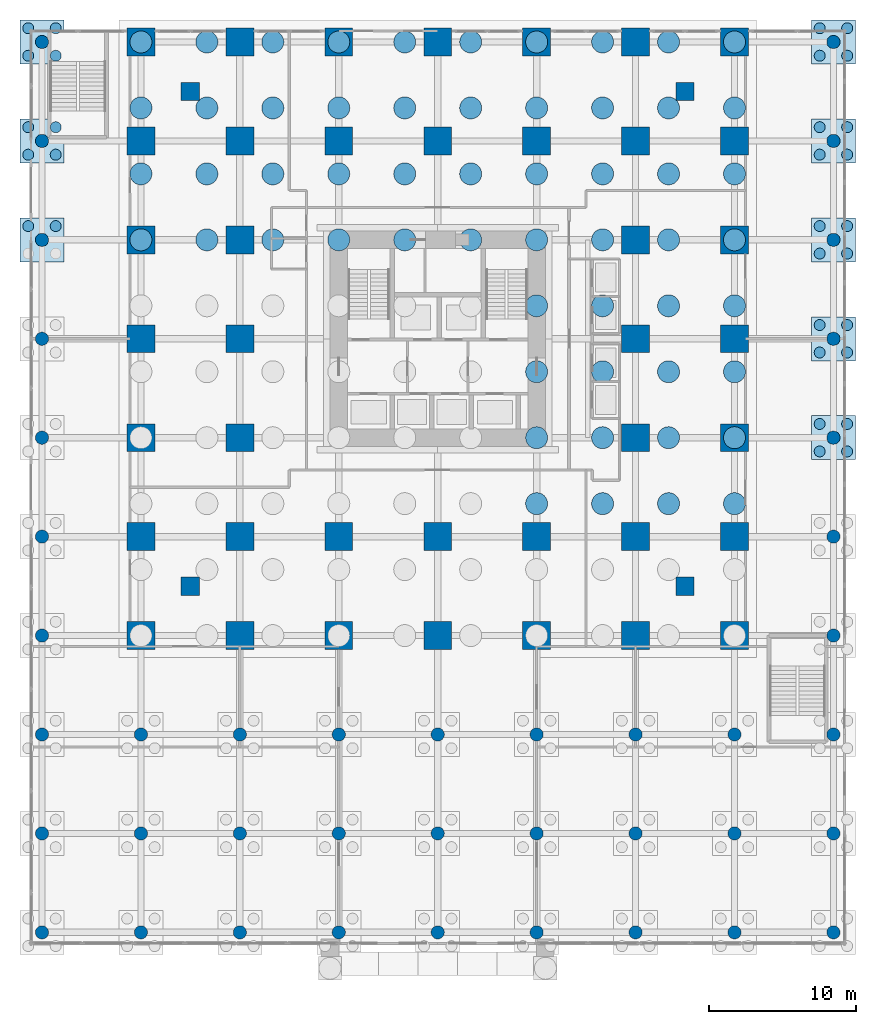
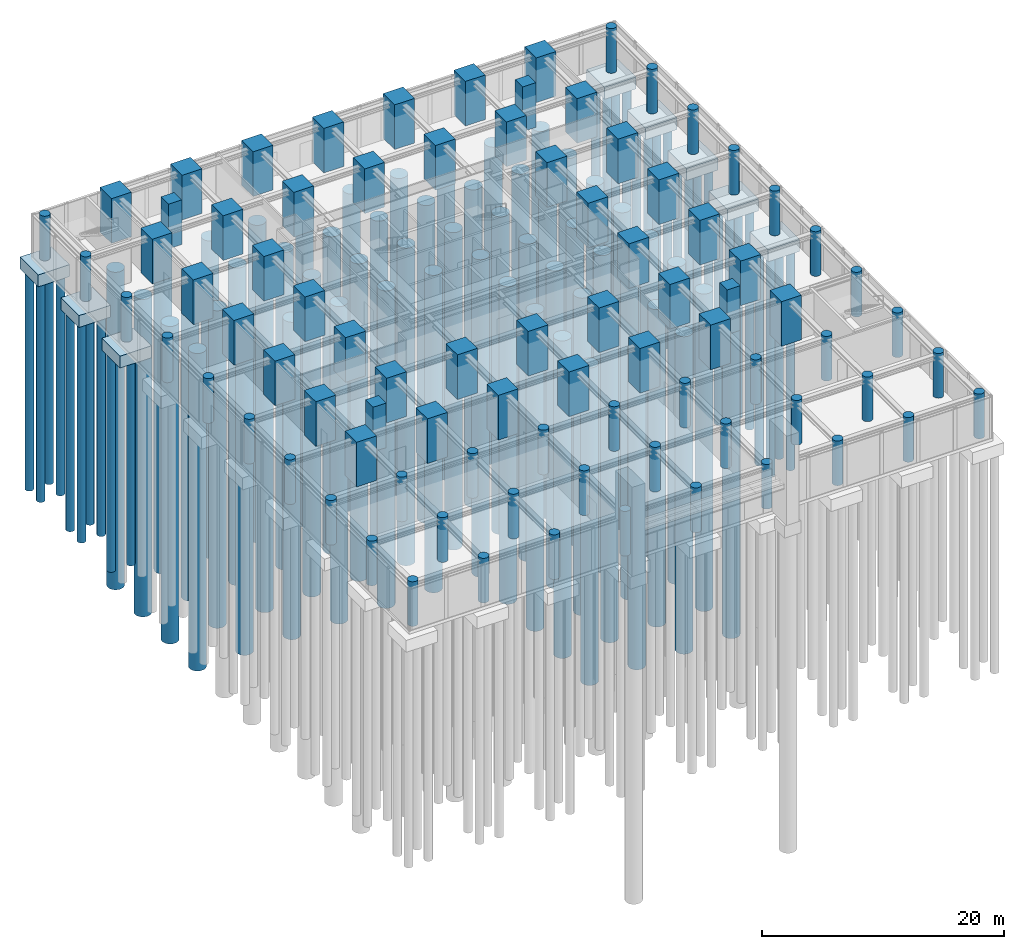
# One storey, part 2 of 14: 86 piles, 85 columns, 8 footings.
"""IFC4 building model written with IfcOpenShell, lengths in metres."""

import ifcopenshell
import ifcopenshell.guid

model = None  # the IFC model being written
_history = None  # IfcOwnerHistory: only IFC2X3 demands one
_inside = {}  # id of a spatial element -> (the spatial element, [elements in it])
_under = {}  # id of a project, library or spatial element -> (it, [spatial elements below it])
_declared = {}  # id of a project -> (the project, [libraries it declares])
_typed = {}  # id of a type object -> (the type object, [elements of that type])
_made_of = {}  # id of a material, layer set ... -> (it, [elements and type objects made of it])


def new_model(schema):
    """Start an empty IFC model of exactly this schema.

    Asked for "IFC4X3", IfcOpenShell would pick the latest addendum, in which some entities
    have other attributes; the version numbers below select the first issue.
    IFC2X3 requires an IfcOwnerHistory on every rooted entity: one is made here for all.
    """
    global model, _history
    if schema == "IFC4X3":
        model = ifcopenshell.file(schema_version=(4, 3, 0, 0))
    else:
        model = ifcopenshell.file(schema=schema)
    _inside.clear()
    _under.clear()
    _declared.clear()
    _typed.clear()
    _made_of.clear()
    _history = None
    if model.schema == "IFC2X3":
        org = make("IfcOrganization", Name="unknown")
        user = make(
            "IfcPersonAndOrganization",
            ThePerson=make("IfcPerson", FamilyName="unknown"),
            TheOrganization=org,
        )
        app = make(
            "IfcApplication",
            ApplicationDeveloper=org,
            Version="unknown",
            ApplicationFullName="unknown",
            ApplicationIdentifier="unknown",
        )
        _history = make(
            "IfcOwnerHistory",
            OwningUser=user,
            OwningApplication=app,
            ChangeAction="ADDED",
            CreationDate=0,
        )
    return model


def make(cls, **values):
    """One entity of the class cls with the attributes given. An attribute that is None is left unset."""
    return model.create_entity(
        cls, **{name: value for name, value in values.items() if value is not None}
    )


def rooted(cls, **values):
    """An entity with a GlobalId (a new one), such as an element, a storey or a relation."""
    return make(cls, GlobalId=ifcopenshell.guid.new(), OwnerHistory=_history, **values)


def si_unit(unit_type, name, prefix=None):
    """IfcSIUnit, for example si_unit("LENGTHUNIT", "METRE", prefix="MILLI")."""
    return make("IfcSIUnit", UnitType=unit_type, Prefix=prefix, Name=name)


def assignment(units):
    """IfcUnitAssignment: the units of a project."""
    return None if units is None else make("IfcUnitAssignment", Units=units)


def point(xyz):
    """IfcCartesianPoint."""
    return None if xyz is None else make("IfcCartesianPoint", Coordinates=xyz)


def direction(xyz):
    """IfcDirection."""
    return None if xyz is None else make("IfcDirection", DirectionRatios=xyz)


def frame(location, z_axis=None, x_axis=None):
    """IfcAxis2Placement3D, a coordinate frame: its origin and axes. An axis left out is left unset."""
    return make(
        "IfcAxis2Placement3D",
        Location=point(location),
        Axis=direction(z_axis),
        RefDirection=direction(x_axis),
    )


def frame_2d(location, x_axis=None):
    """IfcAxis2Placement2D, a coordinate frame in the plane: its origin and x axis."""
    return make(
        "IfcAxis2Placement2D", Location=point(location), RefDirection=direction(x_axis)
    )


def origin():
    """The frame at (0, 0, 0) with its axes left unset."""
    return frame((0.0, 0.0, 0.0))


def origin_2d():
    """The frame at (0, 0) in the plane with its x axis left unset."""
    return frame_2d((0.0, 0.0))


def place(relative_to, where):
    """IfcLocalPlacement: puts the frame where relative to a parent placement (None: the world)."""
    return make(
        "IfcLocalPlacement", PlacementRelTo=relative_to, RelativePlacement=where
    )


def context(
    kind, dimensions, precision=None, world=None, true_north=None, identifier=None
):
    """IfcGeometricRepresentationContext, for example the 3D "Model" context."""
    return make(
        "IfcGeometricRepresentationContext",
        ContextIdentifier=identifier,
        ContextType=kind,
        CoordinateSpaceDimension=dimensions,
        Precision=precision,
        WorldCoordinateSystem=world,
        TrueNorth=true_north,
    )


def subcontext(parent, identifier, kind, view, scale=None):
    """IfcGeometricRepresentationSubContext, for example "Body" below "Model"."""
    return make(
        "IfcGeometricRepresentationSubContext",
        ContextIdentifier=identifier,
        ContextType=kind,
        ParentContext=parent,
        TargetScale=scale,
        TargetView=view,
    )


def project(units=None, contexts=None):
    """IfcProject with its units and contexts."""
    return rooted(
        "IfcProject",
        Name="project",
        RepresentationContexts=contexts,
        UnitsInContext=assignment(units),
    )


def spatial(cls, under=None, at=None, **own):
    """A site, building, storey or space (cls), placed at a placement, below another one or the project."""
    s = rooted(cls, ObjectPlacement=at, **own)
    if under is not None:
        _under.setdefault(under.id(), (under, []))[1].append(s)
    return s


def polyline(points):
    """IfcPolyline through the points."""
    return make("IfcPolyline", Points=[point(p) for p in points])


def profile(cls, at=None, kind="AREA", **sizes):
    """A parametric profile (cls). Its sizes go by their IFC names, for example OverallWidth=200.0."""
    return make(cls, ProfileType=kind, Position=at, **sizes)


def rectangle(**sizes):
    """IfcRectangleProfileDef."""
    return profile("IfcRectangleProfileDef", **sizes)


def circle(**sizes):
    """IfcCircleProfileDef."""
    return profile("IfcCircleProfileDef", **sizes)


def outline(outer, holes=None, kind="AREA"):
    """IfcArbitraryClosedProfileDef: a profile drawn as a closed curve; with holes, ...WithVoids."""
    if holes is None:
        return make("IfcArbitraryClosedProfileDef", ProfileType=kind, OuterCurve=outer)
    return make(
        "IfcArbitraryProfileDefWithVoids",
        ProfileType=kind,
        OuterCurve=outer,
        InnerCurves=holes,
    )


def extrude(swept, where, along, depth):
    """IfcExtrudedAreaSolid: the profile swept, set in the frame where, extruded along a direction by depth."""
    return make(
        "IfcExtrudedAreaSolid",
        SweptArea=swept,
        Position=where,
        ExtrudedDirection=direction(along),
        Depth=depth,
    )


def shape(context_of_items, identifier, shape_type, items):
    """IfcShapeRepresentation: the items that make up one representation, for example the "Body"."""
    return make(
        "IfcShapeRepresentation",
        ContextOfItems=context_of_items,
        RepresentationIdentifier=identifier,
        RepresentationType=shape_type,
        Items=items,
    )


def material(Name=None, Category=None):
    """IfcMaterial."""
    return make("IfcMaterial", Name=Name, Category=Category)


def layer(
    of_material, thickness, ventilated=None, Name=None, Category=None, Priority=None
):
    """IfcMaterialLayer: one layer of a wall or slab, of a material (None: an air gap)."""
    return make(
        "IfcMaterialLayer",
        Material=of_material,
        LayerThickness=thickness,
        IsVentilated=ventilated,
        Name=Name,
        Category=Category,
        Priority=Priority,
    )


def layer_set(layers, Name=None):
    """IfcMaterialLayerSet."""
    return make("IfcMaterialLayerSet", MaterialLayers=layers, LayerSetName=Name)


def material_profile(
    of_material, cross_section, Name=None, Category=None, Priority=None
):
    """IfcMaterialProfile: a cross section and its material."""
    return make(
        "IfcMaterialProfile",
        Name=Name,
        Material=of_material,
        Profile=cross_section,
        Priority=Priority,
        Category=Category,
    )


def profile_set(profiles, Name=None, composite=None):
    """IfcMaterialProfileSet."""
    return make(
        "IfcMaterialProfileSet",
        Name=Name,
        MaterialProfiles=profiles,
        CompositeProfile=composite,
    )


def made_of(thing, what):
    """Note that an element or type object is made of a material, layer set ...; save() writes the relation."""
    if what is not None:
        _made_of.setdefault(what.id(), (what, []))[1].append(thing)
    return thing


def type_object(cls, material=None, **own):
    """A type object (cls), such as IfcWallType, which elements share."""
    return made_of(rooted(cls, **own), material)


def element(
    cls,
    number,
    at=None,
    inside=None,
    cuts=None,
    type_object=None,
    material=None,
    context=None,
    identifier="Body",
    shape_type=None,
    held_by="IfcProductDefinitionShape",
    body=None,
    shapes=None,
    **own,
):
    """One element of the class cls, such as IfcWall. Its Tag is "e" and its number.

    at: its placement. inside: the storey or other place that contains it. cuts: it is an
    opening in that element (IfcRelVoidsElement). A single representation is given by context,
    identifier, shape_type and body (its items); several are given by shapes. held_by: the class
    of the entity that holds the representations. save() writes the other relations.
    """
    e = rooted(cls, Tag="e%d" % number, ObjectPlacement=at, **own)
    if body is not None:
        shapes = [shape(context, identifier, shape_type, body)]
    if shapes is not None:
        e.Representation = make(held_by, Representations=shapes)
    if inside is not None:
        _inside.setdefault(inside.id(), (inside, []))[1].append(e)
    if cuts is not None:
        rooted(
            "IfcRelVoidsElement", RelatingBuildingElement=cuts, RelatedOpeningElement=e
        )
    if type_object is not None:
        _typed.setdefault(type_object.id(), (type_object, []))[1].append(e)
    return made_of(e, material)


def aggregate(whole, parts):
    """IfcRelAggregates: a whole, such as a stair, and the parts it consists of."""
    return rooted("IfcRelAggregates", RelatingObject=whole, RelatedObjects=parts)


def save(model, path):
    """Write the relations noted so far, then the file.

    IfcRelAggregates (storeys below a building ...), IfcRelContainedInSpatialStructure (elements
    in a storey), IfcRelDefinesByType, IfcRelAssociatesMaterial and IfcRelDeclares: one each for
    every whole, place, type object, material and project.
    """
    for whole, parts in _under.values():
        aggregate(whole, parts)
    for where, things in _inside.values():
        rooted(
            "IfcRelContainedInSpatialStructure",
            RelatedElements=things,
            RelatingStructure=where,
        )
    for kind, things in _typed.values():
        rooted("IfcRelDefinesByType", RelatedObjects=things, RelatingType=kind)
    for what, things in _made_of.values():
        rooted("IfcRelAssociatesMaterial", RelatedObjects=things, RelatingMaterial=what)
    for by, libraries in _declared.values():
        rooted("IfcRelDeclares", RelatingContext=by, RelatedDefinitions=libraries)
    model.write(path)


model = new_model("IFC4")

# Units and contexts
model_context = context("Model", 3, precision=1e-05, world=origin(), true_north=direction((0.0, 1.0)))
body_context = subcontext(model_context, "Body", "Model", "MODEL_VIEW")
ifc_project = project(units=[si_unit("LENGTHUNIT", "METRE"), si_unit("AREAUNIT", "SQUARE_METRE"), si_unit("VOLUMEUNIT", "CUBIC_METRE"), si_unit("PLANEANGLEUNIT", "RADIAN"), si_unit("MASSUNIT", "GRAM", prefix="KILO")], contexts=[model_context])

# Site, building, storey
site_placement = place(None, origin())
site = spatial("IfcSite", under=ifc_project, at=site_placement, CompositionType="ELEMENT")
building_placement = place(site_placement, origin())
building = spatial("IfcBuilding", under=site, at=building_placement, Name="Nyansa Garden Tower", CompositionType="ELEMENT")
storey_placement = place(building_placement, origin())
storey = spatial("IfcBuildingStorey", under=building, at=storey_placement, Name="L00", CompositionType="ELEMENT", Elevation=0.0)

# Piles
ifc_material_1 = material(Name="Concrete C40/50", Category="concrete")
pile_type_1 = type_object("IfcPileType", Name="Bored pile P1 D1500", PredefinedType="BORED", material=ifc_material_1)
for number, where, z_axis, x_axis, name in (
    (1, (0.0, 27.0, -3.300048828125), (0.0, 0.0, -1.0), (1.0, 0.0, 0.0), "Pile P1-007"),
    (2, (0.0, 31.5, -3.300048828125), (0.0, 0.0, -1.0), (1.0, 0.0, 0.0), "Pile P1-008"),
    (3, (0.0, 36.0, -3.300048828125), (0.0, 0.0, -1.0), (1.0, 0.0, 0.0), "Pile P1-009"),
    (4, (0.0, 40.5, -3.300048828125), (0.0, 0.0, -1.0), (1.0, 0.0, 0.0), "Pile P1-010"),
    (5, (4.5, 27.0, -3.300048828125), (0.0, 0.0, -1.0), (1.0, 0.0, 0.0), "Pile P1-017"),
    (6, (4.5, 31.5, -3.300048828125), (0.0, 0.0, -1.0), (1.0, 0.0, 0.0), "Pile P1-018"),
    (7, (4.5, 36.0, -3.300048828125), (0.0, 0.0, -1.0), (1.0, 0.0, 0.0), "Pile P1-019"),
    (8, (4.5, 40.5, -3.300048828125), (0.0, 0.0, -1.0), (1.0, 0.0, 0.0), "Pile P1-020"),
    (9, (9.0, 27.0, -3.300048828125), (0.0, 0.0, -1.0), (1.0, 0.0, 0.0), "Pile P1-027"),
    (10, (9.0, 31.5, -3.300048828125), (0.0, 0.0, -1.0), (1.0, 0.0, 0.0), "Pile P1-028"),
    (11, (9.0, 36.0, -3.300048828125), (0.0, 0.0, -1.0), (1.0, 0.0, 0.0), "Pile P1-029"),
    (12, (9.0, 40.5, -3.300048828125), (0.0, 0.0, -1.0), (1.0, 0.0, 0.0), "Pile P1-030"),
    (13, (13.5, 27.0, -3.300048828125), (0.0, 0.0, -1.0), (1.0, 0.0, 0.0), "Pile P1-037"),
    (14, (13.5, 31.5, -3.300048828125), (0.0, 0.0, -1.0), (1.0, 0.0, 0.0), "Pile P1-038"),
    (15, (13.5, 36.0, -3.300048828125), (0.0, 0.0, -1.0), (1.0, 0.0, 0.0), "Pile P1-039"),
    (16, (13.5, 40.5, -3.300048828125), (0.0, 0.0, -1.0), (1.0, 0.0, 0.0), "Pile P1-040"),
    (17, (18.0, 27.0, -3.300048828125), (0.0, 0.0, -1.0), (1.0, 0.0, 0.0), "Pile P1-047"),
    (18, (18.0, 31.5, -3.300048828125), (0.0, 0.0, -1.0), (1.0, 0.0, 0.0), "Pile P1-048"),
    (19, (18.0, 36.0, -3.300048828125), (0.0, 0.0, -1.0), (1.0, 0.0, 0.0), "Pile P1-049"),
    (20, (18.0, 40.5, -3.300048828125), (0.0, 0.0, -1.0), (1.0, 0.0, 0.0), "Pile P1-050"),
    (21, (22.5, 27.0, -3.300048828125), (0.0, 0.0, -1.0), (1.0, 0.0, 0.0), "Pile P1-057"),
    (22, (22.5, 31.5, -3.300048828125), (0.0, 0.0, -1.0), (1.0, 0.0, 0.0), "Pile P1-058"),
    (23, (22.5, 36.0, -3.300048828125), (0.0, 0.0, -1.0), (1.0, 0.0, 0.0), "Pile P1-059"),
    (24, (22.5, 40.5, -3.300048828125), (0.0, 0.0, -1.0), (1.0, 0.0, 0.0), "Pile P1-060"),
    (25, (27.0, 9.0, -3.300048828125), (0.0, 0.0, -1.0), (1.0, 0.0, 0.0), "Pile P1-063"),
    (26, (27.0, 13.5, -3.300048828125), (0.0, 0.0, -1.0), (1.0, 0.0, 0.0), "Pile P1-064"),
    (27, (27.0, 18.0, -3.300048828125), (0.0, 0.0, -1.0), (1.0, 0.0, 0.0), "Pile P1-065"),
    (28, (27.0, 22.5, -3.300048828125), (0.0, 0.0, -1.0), (1.0, 0.0, 0.0), "Pile P1-066"),
    (29, (27.0, 27.0, -3.300048828125), (0.0, 0.0, -1.0), (1.0, 0.0, 0.0), "Pile P1-067"),
    (30, (27.0, 31.5, -3.300048828125), (0.0, 0.0, -1.0), (1.0, 0.0, 0.0), "Pile P1-068"),
    (31, (27.0, 36.0, -3.300048828125), (0.0, 0.0, -1.0), (1.0, 0.0, 0.0), "Pile P1-069"),
    (32, (27.0, 40.5, -3.300048828125), (0.0, 0.0, -1.0), (1.0, 0.0, 0.0), "Pile P1-070"),
    (33, (31.5, 9.0, -3.300048828125), (0.0, 0.0, -1.0), (1.0, 0.0, 0.0), "Pile P1-073"),
    (34, (31.5, 13.5, -3.300048828125), (0.0, 0.0, -1.0), (1.0, 0.0, 0.0), "Pile P1-074"),
    (35, (31.5, 18.0, -3.300048828125), (0.0, 0.0, -1.0), (1.0, 0.0, 0.0), "Pile P1-075"),
    (36, (31.5, 22.5, -3.300048828125), (0.0, 0.0, -1.0), (1.0, 0.0, 0.0), "Pile P1-076"),
    (37, (31.5, 27.0, -3.300048828125), (0.0, 0.0, -1.0), (1.0, 0.0, 0.0), "Pile P1-077"),
    (38, (31.5, 31.5, -3.300048828125), (0.0, 0.0, -1.0), (1.0, 0.0, 0.0), "Pile P1-078"),
    (39, (31.5, 36.0, -3.300048828125), (0.0, 0.0, -1.0), (1.0, 0.0, 0.0), "Pile P1-079"),
    (40, (31.5, 40.5, -3.300048828125), (0.0, 0.0, -1.0), (1.0, 0.0, 0.0), "Pile P1-080"),
    (41, (36.0, 9.0, -3.300048828125), (0.0, 0.0, -1.0), (1.0, 0.0, 0.0), "Pile P1-083"),
    (42, (36.0, 13.5, -3.300048828125), (0.0, 0.0, -1.0), (1.0, 0.0, 0.0), "Pile P1-084"),
    (43, (36.0, 18.0, -3.300048828125), (0.0, 0.0, -1.0), (1.0, 0.0, 0.0), "Pile P1-085"),
    (44, (36.0, 22.5, -3.300048828125), (0.0, 0.0, -1.0), (1.0, 0.0, 0.0), "Pile P1-086"),
    (45, (36.0, 27.0, -3.300048828125), (0.0, 0.0, -1.0), (1.0, 0.0, 0.0), "Pile P1-087"),
    (46, (36.0, 31.5, -3.300048828125), (0.0, 0.0, -1.0), (1.0, 0.0, 0.0), "Pile P1-088"),
    (47, (36.0, 36.0, -3.300048828125), (0.0, 0.0, -1.0), (1.0, 0.0, 0.0), "Pile P1-089"),
    (48, (36.0, 40.5, -3.300048828125), (0.0, 0.0, -1.0), (1.0, 0.0, 0.0), "Pile P1-090"),
    (49, (40.5, 9.0, -3.300048828125), (0.0, 0.0, -1.0), (1.0, 0.0, 0.0), "Pile P1-093"),
    (50, (40.5, 13.5, -3.300048828125), (0.0, 0.0, -1.0), (1.0, 0.0, 0.0), "Pile P1-094"),
    (51, (40.5, 18.0, -3.300048828125), (0.0, 0.0, -1.0), (1.0, 0.0, 0.0), "Pile P1-095"),
    (52, (40.5, 22.5, -3.300048828125), (0.0, 0.0, -1.0), (1.0, 0.0, 0.0), "Pile P1-096"),
    (53, (40.5, 27.0, -3.300048828125), (0.0, 0.0, -1.0), (1.0, 0.0, 0.0), "Pile P1-097"),
    (54, (40.5, 31.5, -3.300048828125), (0.0, 0.0, -1.0), (1.0, 0.0, 0.0), "Pile P1-098"),
    (55, (40.5, 36.0, -3.300048828125), (0.0, 0.0, -1.0), (1.0, 0.0, 0.0), "Pile P1-099"),
    (56, (40.5, 40.5, -3.300048828125), (0.0, 0.0, -1.0), (1.0, 0.0, 0.0), "Pile P1-100"),
):
    element("IfcPile", number, at=place(storey_placement, frame(where, z_axis=z_axis, x_axis=x_axis)), inside=storey, type_object=pile_type_1, Name=name, PredefinedType="BORED", context=body_context, shape_type="SweptSolid", body=[
        extrude(circle(Radius=0.75, at=origin_2d()), origin(), (0.0, 0.0, 1.0), 32.0),
    ])
ifc_material_2 = material(Name="Concrete C40/50", Category="concrete")
pile_type_2 = type_object("IfcPileType", Name="Bored pile P2 D750", PredefinedType="BORED", material=ifc_material_2)
for number, where, z_axis, x_axis, name in (
    (57, (-5.8125, 27.9375, -1.5), (0.0, 0.0, -1.0), (1.0, 0.0, 0.0), "Pile P2-08C"),
    (58, (-7.6875, 27.9375, -1.5), (0.0, 0.0, -1.0), (1.0, 0.0, 0.0), "Pile P2-08D"),
    (59, (-7.6875, 32.8125, -1.5), (0.0, 0.0, -1.0), (1.0, 0.0, 0.0), "Pile P2-09A"),
    (60, (-5.8125, 32.8125, -1.5), (0.0, 0.0, -1.0), (1.0, 0.0, 0.0), "Pile P2-09B"),
    (61, (-5.8125, 34.6875, -1.5), (0.0, 0.0, -1.0), (1.0, 0.0, 0.0), "Pile P2-09C"),
    (62, (-7.6875, 34.6875, -1.5), (0.0, 0.0, -1.0), (1.0, 0.0, 0.0), "Pile P2-09D"),
    (63, (-7.6875, 39.5625, -1.5), (0.0, 0.0, -1.0), (1.0, 0.0, 0.0), "Pile P2-10A"),
    (64, (-5.8125, 39.5625, -1.5), (0.0, 0.0, -1.0), (1.0, 0.0, 0.0), "Pile P2-10B"),
    (65, (-5.8125, 41.4375, -1.5), (0.0, 0.0, -1.0), (1.0, 0.0, 0.0), "Pile P2-10C"),
    (66, (-7.6875, 41.4375, -1.5), (0.0, 0.0, -1.0), (1.0, 0.0, 0.0), "Pile P2-10D"),
    (67, (46.3125, 12.5625, -1.5), (0.0, 0.0, -1.0), (1.0, 0.0, 0.0), "Pile P2-37A"),
    (68, (48.1875, 12.5625, -1.5), (0.0, 0.0, -1.0), (1.0, 0.0, 0.0), "Pile P2-37B"),
    (69, (48.1875, 14.4375, -1.5), (0.0, 0.0, -1.0), (1.0, 0.0, 0.0), "Pile P2-37C"),
    (70, (46.3125, 14.4375, -1.5), (0.0, 0.0, -1.0), (1.0, 0.0, 0.0), "Pile P2-37D"),
    (71, (46.3125, 19.3125, -1.5), (0.0, 0.0, -1.0), (1.0, 0.0, 0.0), "Pile P2-38A"),
    (72, (48.1875, 19.3125, -1.5), (0.0, 0.0, -1.0), (1.0, 0.0, 0.0), "Pile P2-38B"),
    (73, (48.1875, 21.1875, -1.5), (0.0, 0.0, -1.0), (1.0, 0.0, 0.0), "Pile P2-38C"),
    (74, (46.3125, 21.1875, -1.5), (0.0, 0.0, -1.0), (1.0, 0.0, 0.0), "Pile P2-38D"),
    (75, (46.3125, 26.0625, -1.5), (0.0, 0.0, -1.0), (1.0, 0.0, 0.0), "Pile P2-39A"),
    (76, (48.1875, 26.0625, -1.5), (0.0, 0.0, -1.0), (1.0, 0.0, 0.0), "Pile P2-39B"),
    (77, (48.1875, 27.9375, -1.5), (0.0, 0.0, -1.0), (1.0, 0.0, 0.0), "Pile P2-39C"),
    (78, (46.3125, 27.9375, -1.5), (0.0, 0.0, -1.0), (1.0, 0.0, 0.0), "Pile P2-39D"),
    (79, (46.3125, 32.8125, -1.5), (0.0, 0.0, -1.0), (1.0, 0.0, 0.0), "Pile P2-40A"),
    (80, (48.1875, 32.8125, -1.5), (0.0, 0.0, -1.0), (1.0, 0.0, 0.0), "Pile P2-40B"),
    (81, (48.1875, 34.6875, -1.5), (0.0, 0.0, -1.0), (1.0, 0.0, 0.0), "Pile P2-40C"),
    (82, (46.3125, 34.6875, -1.5), (0.0, 0.0, -1.0), (1.0, 0.0, 0.0), "Pile P2-40D"),
    (83, (46.3125, 39.5625, -1.5), (0.0, 0.0, -1.0), (1.0, 0.0, 0.0), "Pile P2-41A"),
    (84, (48.1875, 39.5625, -1.5), (0.0, 0.0, -1.0), (1.0, 0.0, 0.0), "Pile P2-41B"),
    (85, (48.1875, 41.4375, -1.5), (0.0, 0.0, -1.0), (1.0, 0.0, 0.0), "Pile P2-41C"),
    (86, (46.3125, 41.4375, -1.5), (0.0, 0.0, -1.0), (1.0, 0.0, 0.0), "Pile P2-41D"),
):
    element("IfcPile", number, at=place(storey_placement, frame(where, z_axis=z_axis, x_axis=x_axis)), inside=storey, type_object=pile_type_2, Name=name, PredefinedType="BORED", context=body_context, shape_type="SweptSolid", body=[
        extrude(circle(Radius=0.375, at=origin_2d()), origin(), (0.0, 0.0, 1.0), 22.0),
    ])

# Footings
ifc_material_3 = material(Name="Concrete C40/50", Category="concrete")
ifc_layer = layer(ifc_material_3, 1.199951171875)
ifc_layer_set = layer_set([ifc_layer], Name="Pile cap PC1")
footing_type = type_object("IfcFootingType", Name="Pile cap PC1", PredefinedType="PILE_CAP", material=ifc_layer_set)
footing_1_placement = place(storey_placement, frame((0.0, 0.0, -1.5)))
element("IfcFooting", 87, at=footing_1_placement, inside=storey, type_object=footing_type, Name="Pile cap PC1-08", PredefinedType="PILE_CAP", context=body_context, shape_type="SweptSolid", body=[
    extrude(outline(polyline([(-8.25, 25.5), (-5.25, 25.5), (-5.25, 28.5), (-8.25, 28.5), (-8.25, 25.5)])), origin(), (0.0, 0.0, 1.0), 1.199951171875),
])
footing_2_placement = place(storey_placement, frame((0.0, 0.0, -1.5)))
element("IfcFooting", 88, at=footing_2_placement, inside=storey, type_object=footing_type, Name="Pile cap PC1-09", PredefinedType="PILE_CAP", context=body_context, shape_type="SweptSolid", body=[
    extrude(outline(polyline([(-8.25, 32.25), (-5.25, 32.25), (-5.25, 35.25), (-8.25, 35.25), (-8.25, 32.25)])), origin(), (0.0, 0.0, 1.0), 1.199951171875),
])
footing_3_placement = place(storey_placement, frame((0.0, 0.0, -1.5)))
element("IfcFooting", 89, at=footing_3_placement, inside=storey, type_object=footing_type, Name="Pile cap PC1-10", PredefinedType="PILE_CAP", context=body_context, shape_type="SweptSolid", body=[
    extrude(outline(polyline([(-8.25, 39.0), (-5.25, 39.0), (-5.25, 42.0), (-8.25, 42.0), (-8.25, 39.0)])), origin(), (0.0, 0.0, 1.0), 1.199951171875),
])
footing_4_placement = place(storey_placement, frame((0.0, 0.0, -1.5)))
element("IfcFooting", 90, at=footing_4_placement, inside=storey, type_object=footing_type, Name="Pile cap PC1-37", PredefinedType="PILE_CAP", context=body_context, shape_type="SweptSolid", body=[
    extrude(outline(polyline([(45.75, 12.0), (48.75, 12.0), (48.75, 15.0), (45.75, 15.0), (45.75, 12.0)])), origin(), (0.0, 0.0, 1.0), 1.199951171875),
])
footing_5_placement = place(storey_placement, frame((0.0, 0.0, -1.5)))
element("IfcFooting", 91, at=footing_5_placement, inside=storey, type_object=footing_type, Name="Pile cap PC1-38", PredefinedType="PILE_CAP", context=body_context, shape_type="SweptSolid", body=[
    extrude(outline(polyline([(45.75, 18.75), (48.75, 18.75), (48.75, 21.75), (45.75, 21.75), (45.75, 18.75)])), origin(), (0.0, 0.0, 1.0), 1.199951171875),
])
footing_6_placement = place(storey_placement, frame((0.0, 0.0, -1.5)))
element("IfcFooting", 92, at=footing_6_placement, inside=storey, type_object=footing_type, Name="Pile cap PC1-39", PredefinedType="PILE_CAP", context=body_context, shape_type="SweptSolid", body=[
    extrude(outline(polyline([(45.75, 25.5), (48.75, 25.5), (48.75, 28.5), (45.75, 28.5), (45.75, 25.5)])), origin(), (0.0, 0.0, 1.0), 1.199951171875),
])
footing_7_placement = place(storey_placement, frame((0.0, 0.0, -1.5)))
element("IfcFooting", 93, at=footing_7_placement, inside=storey, type_object=footing_type, Name="Pile cap PC1-40", PredefinedType="PILE_CAP", context=body_context, shape_type="SweptSolid", body=[
    extrude(outline(polyline([(45.75, 32.25), (48.75, 32.25), (48.75, 35.25), (45.75, 35.25), (45.75, 32.25)])), origin(), (0.0, 0.0, 1.0), 1.199951171875),
])
footing_8_placement = place(storey_placement, frame((0.0, 0.0, -1.5)))
element("IfcFooting", 94, at=footing_8_placement, inside=storey, type_object=footing_type, Name="Pile cap PC1-41", PredefinedType="PILE_CAP", context=body_context, shape_type="SweptSolid", body=[
    extrude(outline(polyline([(45.75, 39.0), (48.75, 39.0), (48.75, 42.0), (45.75, 42.0), (45.75, 39.0)])), origin(), (0.0, 0.0, 1.0), 1.199951171875),
])

# Columns
ifc_material_4 = material(Name="Concrete C70/85", Category="concrete")
ifc_material_profile_1 = material_profile(ifc_material_4, circle(Radius=0.449951171875, at=origin_2d()), Name="RC D900")
ifc_profile_set_1 = profile_set([ifc_material_profile_1], Name="Concrete C70/85")
column_type_1 = type_object("IfcColumnType", Name="Arcade column RC D900", PredefinedType="COLUMN", material=ifc_profile_set_1)
for number, where, z_axis, x_axis, name in (
    (95, (-6.75, -20.25, 0.0), (0.0, 0.0, 1.0), (1.0, 0.0, 0.0), "Column 1/A L00"),
    (96, (-6.75, -13.5, 0.0), (0.0, 0.0, 1.0), (1.0, 0.0, 0.0), "Column 1/B L00"),
    (97, (-6.75, -6.75, 0.0), (0.0, 0.0, 1.0), (1.0, 0.0, 0.0), "Column 1/C L00"),
    (98, (-6.75, 0.0, 0.0), (0.0, 0.0, 1.0), (1.0, 0.0, 0.0), "Column 1/D L00"),
    (99, (-6.75, 6.75, 0.0), (0.0, 0.0, 1.0), (1.0, 0.0, 0.0), "Column 1/E L00"),
    (100, (-6.75, 13.5, 0.0), (0.0, 0.0, 1.0), (1.0, 0.0, 0.0), "Column 1/F L00"),
    (101, (-6.75, 20.25, 0.0), (0.0, 0.0, 1.0), (1.0, 0.0, 0.0), "Column 1/G L00"),
    (102, (-6.75, 27.0, 0.0), (0.0, 0.0, 1.0), (1.0, 0.0, 0.0), "Column 1/H L00"),
    (103, (-6.75, 33.75, 0.0), (0.0, 0.0, 1.0), (1.0, 0.0, 0.0), "Column 1/J L00"),
    (104, (-6.75, 40.5, 0.0), (0.0, 0.0, 1.0), (1.0, 0.0, 0.0), "Column 1/K L00"),
    (105, (0.0, -20.25, 0.0), (0.0, 0.0, 1.0), (1.0, 0.0, 0.0), "Column 2/A L00"),
    (106, (0.0, -13.5, 0.0), (0.0, 0.0, 1.0), (1.0, 0.0, 0.0), "Column 2/B L00"),
    (107, (0.0, -6.75, 0.0), (0.0, 0.0, 1.0), (1.0, 0.0, 0.0), "Column 2/C L00"),
    (108, (6.75, -20.25, 0.0), (0.0, 0.0, 1.0), (1.0, 0.0, 0.0), "Column 3/A L00"),
    (109, (6.75, -13.5, 0.0), (0.0, 0.0, 1.0), (1.0, 0.0, 0.0), "Column 3/B L00"),
    (110, (6.75, -6.75, 0.0), (0.0, 0.0, 1.0), (1.0, 0.0, 0.0), "Column 3/C L00"),
    (111, (13.5, -20.25, 0.0), (0.0, 0.0, 1.0), (1.0, 0.0, 0.0), "Column 4/A L00"),
    (112, (13.5, -13.5, 0.0), (0.0, 0.0, 1.0), (1.0, 0.0, 0.0), "Column 4/B L00"),
    (113, (13.5, -6.75, 0.0), (0.0, 0.0, 1.0), (1.0, 0.0, 0.0), "Column 4/C L00"),
    (114, (20.25, -20.25, 0.0), (0.0, 0.0, 1.0), (1.0, 0.0, 0.0), "Column 5/A L00"),
    (115, (20.25, -13.5, 0.0), (0.0, 0.0, 1.0), (1.0, 0.0, 0.0), "Column 5/B L00"),
    (116, (20.25, -6.75, 0.0), (0.0, 0.0, 1.0), (1.0, 0.0, 0.0), "Column 5/C L00"),
    (117, (27.0, -20.25, 0.0), (0.0, 0.0, 1.0), (1.0, 0.0, 0.0), "Column 6/A L00"),
    (118, (27.0, -13.5, 0.0), (0.0, 0.0, 1.0), (1.0, 0.0, 0.0), "Column 6/B L00"),
    (119, (27.0, -6.75, 0.0), (0.0, 0.0, 1.0), (1.0, 0.0, 0.0), "Column 6/C L00"),
    (120, (33.75, -20.25, 0.0), (0.0, 0.0, 1.0), (1.0, 0.0, 0.0), "Column 7/A L00"),
    (121, (33.75, -13.5, 0.0), (0.0, 0.0, 1.0), (1.0, 0.0, 0.0), "Column 7/B L00"),
    (122, (33.75, -6.75, 0.0), (0.0, 0.0, 1.0), (1.0, 0.0, 0.0), "Column 7/C L00"),
    (123, (40.5, -20.25, 0.0), (0.0, 0.0, 1.0), (1.0, 0.0, 0.0), "Column 8/A L00"),
    (124, (40.5, -13.5, 0.0), (0.0, 0.0, 1.0), (1.0, 0.0, 0.0), "Column 8/B L00"),
    (125, (40.5, -6.75, 0.0), (0.0, 0.0, 1.0), (1.0, 0.0, 0.0), "Column 8/C L00"),
    (126, (47.25, -20.25, 0.0), (0.0, 0.0, 1.0), (1.0, 0.0, 0.0), "Column 9/A L00"),
    (127, (47.25, -13.5, 0.0), (0.0, 0.0, 1.0), (1.0, 0.0, 0.0), "Column 9/B L00"),
    (128, (47.25, -6.75, 0.0), (0.0, 0.0, 1.0), (1.0, 0.0, 0.0), "Column 9/C L00"),
    (129, (47.25, 0.0, 0.0), (0.0, 0.0, 1.0), (1.0, 0.0, 0.0), "Column 9/D L00"),
    (130, (47.25, 6.75, 0.0), (0.0, 0.0, 1.0), (1.0, 0.0, 0.0), "Column 9/E L00"),
    (131, (47.25, 13.5, 0.0), (0.0, 0.0, 1.0), (1.0, 0.0, 0.0), "Column 9/F L00"),
    (132, (47.25, 20.25, 0.0), (0.0, 0.0, 1.0), (1.0, 0.0, 0.0), "Column 9/G L00"),
    (133, (47.25, 27.0, 0.0), (0.0, 0.0, 1.0), (1.0, 0.0, 0.0), "Column 9/H L00"),
    (134, (47.25, 33.75, 0.0), (0.0, 0.0, 1.0), (1.0, 0.0, 0.0), "Column 9/J L00"),
    (135, (47.25, 40.5, 0.0), (0.0, 0.0, 1.0), (1.0, 0.0, 0.0), "Column 9/K L00"),
):
    element("IfcColumn", number, at=place(storey_placement, frame(where, z_axis=z_axis, x_axis=x_axis)), inside=storey, type_object=column_type_1, Name=name, PredefinedType="COLUMN", context=body_context, shape_type="SweptSolid", body=[
        extrude(circle(Radius=0.449951171875, at=origin_2d()), origin(), (0.0, 0.0, 1.0), 4.5),
    ])
ifc_material_5 = material(Name="Concrete C70/85", Category="concrete")
ifc_material_profile_2 = material_profile(ifc_material_5, rectangle(XDim=1.25, YDim=1.25, at=origin_2d()), Name="RC 1250x1250")
ifc_profile_set_2 = profile_set([ifc_material_profile_2], Name="Concrete C70/85")
column_type_2 = type_object("IfcColumnType", Name="Column C125 RC 1250x1250", PredefinedType="COLUMN", material=ifc_profile_set_2)
for number, where, z_axis, x_axis, name in (
    (136, (3.375, 3.375, 0.0), (0.0, 0.0, 1.0), (1.0, 0.0, 0.0), "Column x3.375/y3.375 L00"),
    (137, (3.375, 37.125, 0.0), (0.0, 0.0, 1.0), (1.0, 0.0, 0.0), "Column x3.375/y37.125 L00"),
    (138, (37.125, 3.375, 0.0), (0.0, 0.0, 1.0), (1.0, 0.0, 0.0), "Column x37.125/y3.375 L00"),
    (139, (37.125, 37.125, 0.0), (0.0, 0.0, 1.0), (1.0, 0.0, 0.0), "Column x37.125/y37.125 L00"),
):
    element("IfcColumn", number, at=place(storey_placement, frame(where, z_axis=z_axis, x_axis=x_axis)), inside=storey, type_object=column_type_2, Name=name, PredefinedType="COLUMN", context=body_context, shape_type="SweptSolid", body=[
        extrude(rectangle(XDim=1.25, YDim=1.25, at=origin_2d()), origin(), (0.0, 0.0, 1.0), 4.5),
    ])
ifc_material_6 = material(Name="Concrete C80/95", Category="concrete")
ifc_material_profile_3 = material_profile(ifc_material_6, rectangle(XDim=1.89990234375, YDim=1.89990234375, at=origin_2d()), Name="RC 1900x1900")
ifc_profile_set_3 = profile_set([ifc_material_profile_3], Name="Concrete C80/95")
column_type_3 = type_object("IfcColumnType", Name="Column C190 RC 1900x1900", PredefinedType="COLUMN", material=ifc_profile_set_3)
for number, where, z_axis, x_axis, name in (
    (140, (0.0, 0.0, 0.0), (0.0, 0.0, 1.0), (1.0, 0.0, 0.0), "Column 2/D L00"),
    (141, (0.0, 6.75, 0.0), (0.0, 0.0, 1.0), (1.0, 0.0, 0.0), "Column 2/E L00"),
    (142, (0.0, 13.5, 0.0), (0.0, 0.0, 1.0), (1.0, 0.0, 0.0), "Column 2/F L00"),
    (143, (0.0, 20.25, 0.0), (0.0, 0.0, 1.0), (1.0, 0.0, 0.0), "Column 2/G L00"),
    (144, (0.0, 27.0, 0.0), (0.0, 0.0, 1.0), (1.0, 0.0, 0.0), "Column 2/H L00"),
    (145, (0.0, 33.75, 0.0), (0.0, 0.0, 1.0), (1.0, 0.0, 0.0), "Column 2/J L00"),
    (146, (0.0, 40.5, 0.0), (0.0, 0.0, 1.0), (1.0, 0.0, 0.0), "Column 2/K L00"),
    (147, (6.75, 0.0, 0.0), (0.0, 0.0, 1.0), (1.0, 0.0, 0.0), "Column 3/D L00"),
    (148, (6.75, 6.75, 0.0), (0.0, 0.0, 1.0), (1.0, 0.0, 0.0), "Column 3/E L00"),
    (149, (6.75, 13.5, 0.0), (0.0, 0.0, 1.0), (1.0, 0.0, 0.0), "Column 3/F L00"),
    (150, (6.75, 20.25, 0.0), (0.0, 0.0, 1.0), (1.0, 0.0, 0.0), "Column 3/G L00"),
    (151, (6.75, 27.0, 0.0), (0.0, 0.0, 1.0), (1.0, 0.0, 0.0), "Column 3/H L00"),
    (152, (6.75, 33.75, 0.0), (0.0, 0.0, 1.0), (1.0, 0.0, 0.0), "Column 3/J L00"),
    (153, (6.75, 40.5, 0.0), (0.0, 0.0, 1.0), (1.0, 0.0, 0.0), "Column 3/K L00"),
    (154, (13.5, 0.0, 0.0), (0.0, 0.0, 1.0), (1.0, 0.0, 0.0), "Column 4/D L00"),
    (155, (13.5, 6.75, 0.0), (0.0, 0.0, 1.0), (1.0, 0.0, 0.0), "Column 4/E L00"),
    (156, (13.5, 33.75, 0.0), (0.0, 0.0, 1.0), (1.0, 0.0, 0.0), "Column 4/J L00"),
    (157, (13.5, 40.5, 0.0), (0.0, 0.0, 1.0), (1.0, 0.0, 0.0), "Column 4/K L00"),
    (158, (20.25, 0.0, 0.0), (0.0, 0.0, 1.0), (1.0, 0.0, 0.0), "Column 5/D L00"),
    (159, (20.25, 6.75, 0.0), (0.0, 0.0, 1.0), (1.0, 0.0, 0.0), "Column 5/E L00"),
    (160, (20.25, 33.75, 0.0), (0.0, 0.0, 1.0), (1.0, 0.0, 0.0), "Column 5/J L00"),
    (161, (20.25, 40.5, 0.0), (0.0, 0.0, 1.0), (1.0, 0.0, 0.0), "Column 5/K L00"),
    (162, (27.0, 0.0, 0.0), (0.0, 0.0, 1.0), (1.0, 0.0, 0.0), "Column 6/D L00"),
    (163, (27.0, 6.75, 0.0), (0.0, 0.0, 1.0), (1.0, 0.0, 0.0), "Column 6/E L00"),
    (164, (27.0, 33.75, 0.0), (0.0, 0.0, 1.0), (1.0, 0.0, 0.0), "Column 6/J L00"),
    (165, (27.0, 40.5, 0.0), (0.0, 0.0, 1.0), (1.0, 0.0, 0.0), "Column 6/K L00"),
    (166, (33.75, 0.0, 0.0), (0.0, 0.0, 1.0), (1.0, 0.0, 0.0), "Column 7/D L00"),
    (167, (33.75, 6.75, 0.0), (0.0, 0.0, 1.0), (1.0, 0.0, 0.0), "Column 7/E L00"),
    (168, (33.75, 13.5, 0.0), (0.0, 0.0, 1.0), (1.0, 0.0, 0.0), "Column 7/F L00"),
    (169, (33.75, 20.25, 0.0), (0.0, 0.0, 1.0), (1.0, 0.0, 0.0), "Column 7/G L00"),
    (170, (33.75, 27.0, 0.0), (0.0, 0.0, 1.0), (1.0, 0.0, 0.0), "Column 7/H L00"),
    (171, (33.75, 33.75, 0.0), (0.0, 0.0, 1.0), (1.0, 0.0, 0.0), "Column 7/J L00"),
    (172, (33.75, 40.5, 0.0), (0.0, 0.0, 1.0), (1.0, 0.0, 0.0), "Column 7/K L00"),
    (173, (40.5, 0.0, 0.0), (0.0, 0.0, 1.0), (1.0, 0.0, 0.0), "Column 8/D L00"),
    (174, (40.5, 6.75, 0.0), (0.0, 0.0, 1.0), (1.0, 0.0, 0.0), "Column 8/E L00"),
    (175, (40.5, 13.5, 0.0), (0.0, 0.0, 1.0), (1.0, 0.0, 0.0), "Column 8/F L00"),
    (176, (40.5, 20.25, 0.0), (0.0, 0.0, 1.0), (1.0, 0.0, 0.0), "Column 8/G L00"),
    (177, (40.5, 27.0, 0.0), (0.0, 0.0, 1.0), (1.0, 0.0, 0.0), "Column 8/H L00"),
    (178, (40.5, 33.75, 0.0), (0.0, 0.0, 1.0), (1.0, 0.0, 0.0), "Column 8/J L00"),
    (179, (40.5, 40.5, 0.0), (0.0, 0.0, 1.0), (1.0, 0.0, 0.0), "Column 8/K L00"),
):
    element("IfcColumn", number, at=place(storey_placement, frame(where, z_axis=z_axis, x_axis=x_axis)), inside=storey, type_object=column_type_3, Name=name, PredefinedType="COLUMN", context=body_context, shape_type="SweptSolid", body=[
        extrude(rectangle(XDim=1.89990234375, YDim=1.89990234375, at=origin_2d()), origin(), (0.0, 0.0, 1.0), 4.5),
    ])

save(model, "model.ifc")
